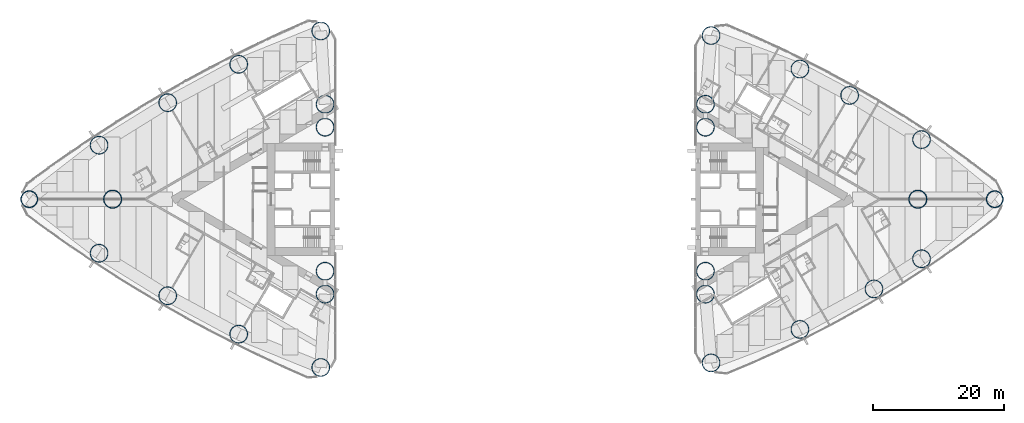
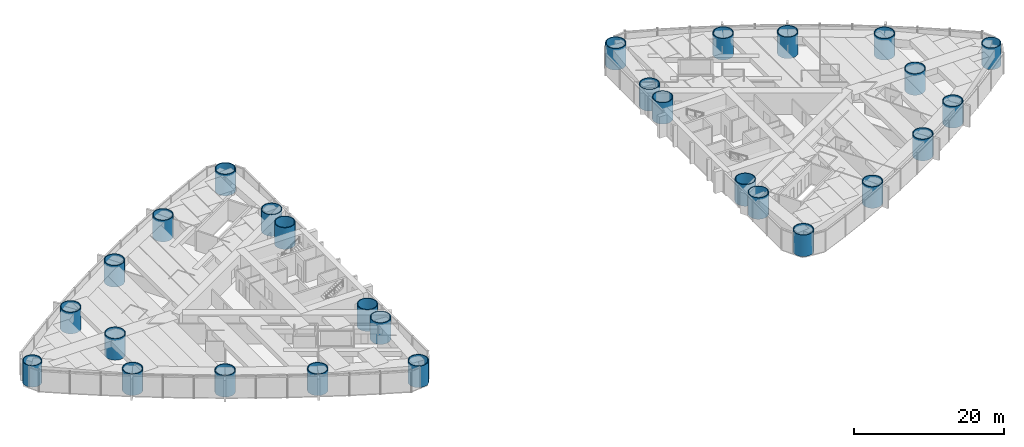
# One storey, part 1 of 19: 28 columns.
"""IFC4 building model written with IfcOpenShell, lengths in metres."""

import ifcopenshell
import ifcopenshell.guid

model = None  # the IFC model being written
_history = None  # IfcOwnerHistory: only IFC2X3 demands one
_inside = {}  # id of a spatial element -> (the spatial element, [elements in it])
_under = {}  # id of a project, library or spatial element -> (it, [spatial elements below it])
_declared = {}  # id of a project -> (the project, [libraries it declares])
_typed = {}  # id of a type object -> (the type object, [elements of that type])
_made_of = {}  # id of a material, layer set ... -> (it, [elements and type objects made of it])


def new_model(schema):
    """Start an empty IFC model of exactly this schema.

    Asked for "IFC4X3", IfcOpenShell would pick the latest addendum, in which some entities
    have other attributes; the version numbers below select the first issue.
    IFC2X3 requires an IfcOwnerHistory on every rooted entity: one is made here for all.
    """
    global model, _history
    if schema == "IFC4X3":
        model = ifcopenshell.file(schema_version=(4, 3, 0, 0))
    else:
        model = ifcopenshell.file(schema=schema)
    _inside.clear()
    _under.clear()
    _declared.clear()
    _typed.clear()
    _made_of.clear()
    _history = None
    if model.schema == "IFC2X3":
        org = make("IfcOrganization", Name="unknown")
        user = make(
            "IfcPersonAndOrganization",
            ThePerson=make("IfcPerson", FamilyName="unknown"),
            TheOrganization=org,
        )
        app = make(
            "IfcApplication",
            ApplicationDeveloper=org,
            Version="unknown",
            ApplicationFullName="unknown",
            ApplicationIdentifier="unknown",
        )
        _history = make(
            "IfcOwnerHistory",
            OwningUser=user,
            OwningApplication=app,
            ChangeAction="ADDED",
            CreationDate=0,
        )
    return model


def make(cls, **values):
    """One entity of the class cls with the attributes given. An attribute that is None is left unset."""
    return model.create_entity(
        cls, **{name: value for name, value in values.items() if value is not None}
    )


def rooted(cls, **values):
    """An entity with a GlobalId (a new one), such as an element, a storey or a relation."""
    return make(cls, GlobalId=ifcopenshell.guid.new(), OwnerHistory=_history, **values)


def si_unit(unit_type, name, prefix=None):
    """IfcSIUnit, for example si_unit("LENGTHUNIT", "METRE", prefix="MILLI")."""
    return make("IfcSIUnit", UnitType=unit_type, Prefix=prefix, Name=name)


def assignment(units):
    """IfcUnitAssignment: the units of a project."""
    return None if units is None else make("IfcUnitAssignment", Units=units)


def point(xyz):
    """IfcCartesianPoint."""
    return None if xyz is None else make("IfcCartesianPoint", Coordinates=xyz)


def direction(xyz):
    """IfcDirection."""
    return None if xyz is None else make("IfcDirection", DirectionRatios=xyz)


def frame(location, z_axis=None, x_axis=None):
    """IfcAxis2Placement3D, a coordinate frame: its origin and axes. An axis left out is left unset."""
    return make(
        "IfcAxis2Placement3D",
        Location=point(location),
        Axis=direction(z_axis),
        RefDirection=direction(x_axis),
    )


def frame_2d(location, x_axis=None):
    """IfcAxis2Placement2D, a coordinate frame in the plane: its origin and x axis."""
    return make(
        "IfcAxis2Placement2D", Location=point(location), RefDirection=direction(x_axis)
    )


def origin():
    """The frame at (0, 0, 0) with its axes left unset."""
    return frame((0.0, 0.0, 0.0))


def origin_2d():
    """The frame at (0, 0) in the plane with its x axis left unset."""
    return frame_2d((0.0, 0.0))


def place(relative_to, where):
    """IfcLocalPlacement: puts the frame where relative to a parent placement (None: the world)."""
    return make(
        "IfcLocalPlacement", PlacementRelTo=relative_to, RelativePlacement=where
    )


def context(
    kind, dimensions, precision=None, world=None, true_north=None, identifier=None
):
    """IfcGeometricRepresentationContext, for example the 3D "Model" context."""
    return make(
        "IfcGeometricRepresentationContext",
        ContextIdentifier=identifier,
        ContextType=kind,
        CoordinateSpaceDimension=dimensions,
        Precision=precision,
        WorldCoordinateSystem=world,
        TrueNorth=true_north,
    )


def subcontext(parent, identifier, kind, view, scale=None):
    """IfcGeometricRepresentationSubContext, for example "Body" below "Model"."""
    return make(
        "IfcGeometricRepresentationSubContext",
        ContextIdentifier=identifier,
        ContextType=kind,
        ParentContext=parent,
        TargetScale=scale,
        TargetView=view,
    )


def project(units=None, contexts=None):
    """IfcProject with its units and contexts."""
    return rooted(
        "IfcProject",
        Name="project",
        RepresentationContexts=contexts,
        UnitsInContext=assignment(units),
    )


def spatial(cls, under=None, at=None, **own):
    """A site, building, storey or space (cls), placed at a placement, below another one or the project."""
    s = rooted(cls, ObjectPlacement=at, **own)
    if under is not None:
        _under.setdefault(under.id(), (under, []))[1].append(s)
    return s


def profile(cls, at=None, kind="AREA", **sizes):
    """A parametric profile (cls). Its sizes go by their IFC names, for example OverallWidth=200.0."""
    return make(cls, ProfileType=kind, Position=at, **sizes)


def hollow_circle(**sizes):
    """IfcCircleHollowProfileDef."""
    return profile("IfcCircleHollowProfileDef", **sizes)


def extrude(swept, where, along, depth):
    """IfcExtrudedAreaSolid: the profile swept, set in the frame where, extruded along a direction by depth."""
    return make(
        "IfcExtrudedAreaSolid",
        SweptArea=swept,
        Position=where,
        ExtrudedDirection=direction(along),
        Depth=depth,
    )


def shape(context_of_items, identifier, shape_type, items):
    """IfcShapeRepresentation: the items that make up one representation, for example the "Body"."""
    return make(
        "IfcShapeRepresentation",
        ContextOfItems=context_of_items,
        RepresentationIdentifier=identifier,
        RepresentationType=shape_type,
        Items=items,
    )


def material(Name=None, Category=None):
    """IfcMaterial."""
    return make("IfcMaterial", Name=Name, Category=Category)


def material_profile(
    of_material, cross_section, Name=None, Category=None, Priority=None
):
    """IfcMaterialProfile: a cross section and its material."""
    return make(
        "IfcMaterialProfile",
        Name=Name,
        Material=of_material,
        Profile=cross_section,
        Priority=Priority,
        Category=Category,
    )


def profile_set(profiles, Name=None, composite=None):
    """IfcMaterialProfileSet."""
    return make(
        "IfcMaterialProfileSet",
        Name=Name,
        MaterialProfiles=profiles,
        CompositeProfile=composite,
    )


def made_of(thing, what):
    """Note that an element or type object is made of a material, layer set ...; save() writes the relation."""
    if what is not None:
        _made_of.setdefault(what.id(), (what, []))[1].append(thing)
    return thing


def type_object(cls, material=None, **own):
    """A type object (cls), such as IfcWallType, which elements share."""
    return made_of(rooted(cls, **own), material)


def element(
    cls,
    number,
    at=None,
    inside=None,
    cuts=None,
    type_object=None,
    material=None,
    context=None,
    identifier="Body",
    shape_type=None,
    held_by="IfcProductDefinitionShape",
    body=None,
    shapes=None,
    **own,
):
    """One element of the class cls, such as IfcWall. Its Tag is "e" and its number.

    at: its placement. inside: the storey or other place that contains it. cuts: it is an
    opening in that element (IfcRelVoidsElement). A single representation is given by context,
    identifier, shape_type and body (its items); several are given by shapes. held_by: the class
    of the entity that holds the representations. save() writes the other relations.
    """
    e = rooted(cls, Tag="e%d" % number, ObjectPlacement=at, **own)
    if body is not None:
        shapes = [shape(context, identifier, shape_type, body)]
    if shapes is not None:
        e.Representation = make(held_by, Representations=shapes)
    if inside is not None:
        _inside.setdefault(inside.id(), (inside, []))[1].append(e)
    if cuts is not None:
        rooted(
            "IfcRelVoidsElement", RelatingBuildingElement=cuts, RelatedOpeningElement=e
        )
    if type_object is not None:
        _typed.setdefault(type_object.id(), (type_object, []))[1].append(e)
    return made_of(e, material)


def aggregate(whole, parts):
    """IfcRelAggregates: a whole, such as a stair, and the parts it consists of."""
    return rooted("IfcRelAggregates", RelatingObject=whole, RelatedObjects=parts)


def save(model, path):
    """Write the relations noted so far, then the file.

    IfcRelAggregates (storeys below a building ...), IfcRelContainedInSpatialStructure (elements
    in a storey), IfcRelDefinesByType, IfcRelAssociatesMaterial and IfcRelDeclares: one each for
    every whole, place, type object, material and project.
    """
    for whole, parts in _under.values():
        aggregate(whole, parts)
    for where, things in _inside.values():
        rooted(
            "IfcRelContainedInSpatialStructure",
            RelatedElements=things,
            RelatingStructure=where,
        )
    for kind, things in _typed.values():
        rooted("IfcRelDefinesByType", RelatedObjects=things, RelatingType=kind)
    for what, things in _made_of.values():
        rooted("IfcRelAssociatesMaterial", RelatedObjects=things, RelatingMaterial=what)
    for by, libraries in _declared.values():
        rooted("IfcRelDeclares", RelatingContext=by, RelatedDefinitions=libraries)
    model.write(path)


model = new_model("IFC4")

# Units and contexts
model_context = context("Model", 3, precision=1e-05, world=origin(), true_north=direction((0.0, 1.0)))
body_context = subcontext(model_context, "Body", "Model", "MODEL_VIEW")
ifc_project = project(units=[si_unit("LENGTHUNIT", "METRE"), si_unit("AREAUNIT", "SQUARE_METRE"), si_unit("VOLUMEUNIT", "CUBIC_METRE"), si_unit("PLANEANGLEUNIT", "RADIAN"), si_unit("MASSUNIT", "GRAM", prefix="KILO")], contexts=[model_context])

# Site, building, storey
site_placement = place(None, origin())
site = spatial("IfcSite", under=ifc_project, at=site_placement, CompositionType="ELEMENT")
building_placement = place(site_placement, origin())
building = spatial("IfcBuilding", under=site, at=building_placement, Name="Lancet Gate Hotel", CompositionType="ELEMENT")
storey_placement = place(building_placement, frame((0.0, 0.0, 60.0)))
storey = spatial("IfcBuildingStorey", under=building, at=storey_placement, Name="L15", CompositionType="ELEMENT", Elevation=60.0)

# Columns
ifc_material_1 = material(Name="Composite filled tube, grade 460 plate, grade 80/95 fill", Category="composite")
ifc_material_profile_1 = material_profile(ifc_material_1, hollow_circle(Radius=1.39990234375, WallThickness=0.10009765625, at=origin_2d()), Name="CHS 2800x100")
ifc_profile_set_1 = profile_set([ifc_material_profile_1], Name="Composite filled tube, grade 460 plate, grade 80/95 fill")
column_type_1 = type_object("IfcColumnType", Name="Apex column CFT CHS 2800x100", PredefinedType="COLUMN", material=ifc_profile_set_1)
for number, where, z_axis, x_axis, name in (
    (1, (-61.5, 0.0, 0.0), (0.0, 0.0, 1.0), (1.0, 0.0, 0.0), "T1 column AX L15"),
    (2, (61.5, 0.0, 0.0), (0.0, 0.0, 1.0), (1.0, 0.0, 0.0), "T2 column AX L15"),
):
    element("IfcColumn", number, at=place(storey_placement, frame(where, z_axis=z_axis, x_axis=x_axis)), inside=storey, type_object=column_type_1, Name=name, PredefinedType="COLUMN", context=body_context, shape_type="SweptSolid", body=[
        extrude(hollow_circle(Radius=1.39990234375, WallThickness=0.10009765625, at=origin_2d()), origin(), (0.0, 0.0, 1.0), 3.5),
    ])
ifc_material_2 = material(Name="Composite filled tube, grade 460 plate, grade 80/95 fill", Category="composite")
ifc_material_profile_2 = material_profile(ifc_material_2, hollow_circle(Radius=1.300048828125, WallThickness=0.10009765625, at=origin_2d()), Name="CHS 2600x100")
ifc_profile_set_2 = profile_set([ifc_material_profile_2], Name="Composite filled tube, grade 460 plate, grade 80/95 fill")
column_type_2 = type_object("IfcColumnType", Name="Apex corner column CFT CHS 2600x100", PredefinedType="COLUMN", material=ifc_profile_set_2)
for number, where, z_axis, x_axis, name in (
    (3, (-74.235107421875, 0.0, 0.0), (0.0, 0.0, 1.0), (1.0, 0.0, 0.0), "T1 column CA L15"),
    (4, (73.2392578125, 0.0, 0.0), (0.0, 0.0, 1.0), (1.0, 0.0, 0.0), "T2 column CA L15"),
):
    element("IfcColumn", number, at=place(storey_placement, frame(where, z_axis=z_axis, x_axis=x_axis)), inside=storey, type_object=column_type_2, Name=name, PredefinedType="COLUMN", context=body_context, shape_type="SweptSolid", body=[
        extrude(hollow_circle(Radius=1.300048828125, WallThickness=0.10009765625, at=origin_2d()), origin(), (0.0, 0.0, 1.0), 3.5),
    ])
ifc_material_3 = material(Name="Composite filled tube, grade 460 plate, grade 80/95 fill", Category="composite")
ifc_material_profile_3 = material_profile(ifc_material_3, hollow_circle(Radius=1.39990234375, WallThickness=0.1201171875, at=origin_2d()), Name="CHS 2800x120")
ifc_profile_set_3 = profile_set([ifc_material_profile_3], Name="Composite filled tube, grade 460 plate, grade 80/95 fill")
column_type_3 = type_object("IfcColumnType", Name="Perimeter column CFT CHS 2800x120", PredefinedType="COLUMN", material=ifc_profile_set_3)
for number, where, z_axis, x_axis, name in (
    (5, (-29.703369140625, -25.70263671875, 0.0), (0.0, 0.0, 1.0), (1.0, 0.0, 0.0), "T1 column CN L15"),
    (6, (-29.703369140625, 25.70263671875, 0.0), (0.0, 0.0, 1.0), (1.0, 0.0, 0.0), "T1 column CS L15"),
    (7, (-29.050048828125, -11.0, 0.0), (0.0, 0.0, 1.0), (1.0, 0.0, 0.0), "T1 column IN L15"),
    (8, (-29.050048828125, 11.0, 0.0), (0.0, 0.0, 1.0), (1.0, 0.0, 0.0), "T1 column IS L15"),
    (9, (-29.050048828125, 14.5, 0.0), (0.0, 0.0, 1.0), (1.0, 0.0, 0.0), "T1 column IT L15"),
    (10, (-29.050048828125, -14.5, 0.0), (0.0, 0.0, 1.0), (1.0, 0.0, 0.0), "T1 column JT L15"),
    (11, (-63.57177734375, -8.255126953125, 0.0), (0.0, 0.0, 1.0), (1.0, 0.0, 0.0), "T1 column ON1 L15"),
    (12, (-53.090087890625, -14.744873046875, 0.0), (0.0, 0.0, 1.0), (1.0, 0.0, 0.0), "T1 column ON2 L15"),
    (13, (-42.2451171875, -20.607421875, 0.0), (0.0, 0.0, 1.0), (1.0, 0.0, 0.0), "T1 column ON3 L15"),
    (14, (-42.2451171875, 20.607421875, 0.0), (0.0, 0.0, 1.0), (1.0, 0.0, 0.0), "T1 column OS1 L15"),
    (15, (-53.090087890625, 14.744873046875, 0.0), (0.0, 0.0, 1.0), (1.0, 0.0, 0.0), "T1 column OS2 L15"),
    (16, (-63.57177734375, 8.255126953125, 0.0), (0.0, 0.0, 1.0), (1.0, 0.0, 0.0), "T1 column OS3 L15"),
    (17, (29.9111328125, 25.00244140625, 0.0), (0.0, 0.0, 1.0), (1.0, 0.0, 0.0), "T2 column CN L15"),
    (18, (29.9111328125, -25.00244140625, 0.0), (0.0, 0.0, 1.0), (1.0, 0.0, 0.0), "T2 column CS L15"),
    (19, (29.050048828125, 11.0, 0.0), (0.0, 0.0, 1.0), (1.0, 0.0, 0.0), "T2 column IN L15"),
    (20, (29.050048828125, -11.0, 0.0), (0.0, 0.0, 1.0), (1.0, 0.0, 0.0), "T2 column IS L15"),
    (21, (29.050048828125, -14.5, 0.0), (0.0, 0.0, 1.0), (1.0, 0.0, 0.0), "T2 column IT L15"),
    (22, (29.050048828125, 14.5, 0.0), (0.0, 0.0, 1.0), (1.0, 0.0, 0.0), "T2 column JT L15"),
    (23, (62.059326171875, 9.10498046875, 0.0), (0.0, 0.0, 1.0), (1.0, 0.0, 0.0), "T2 column ON1 L15"),
    (24, (51.07763671875, 15.8583984375, 0.0), (0.0, 0.0, 1.0), (1.0, 0.0, 0.0), "T2 column ON2 L15"),
    (25, (43.484130859375, 19.886474609375, 0.0), (0.0, 0.0, 1.0), (1.0, 0.0, 0.0), "T2 column ON3 L15"),
    (26, (43.484130859375, -19.886474609375, 0.0), (0.0, 0.0, 1.0), (1.0, 0.0, 0.0), "T2 column OS1 L15"),
    (27, (54.795166015625, -13.70068359375, 0.0), (0.0, 0.0, 1.0), (1.0, 0.0, 0.0), "T2 column OS2 L15"),
    (28, (62.059326171875, -9.10498046875, 0.0), (0.0, 0.0, 1.0), (1.0, 0.0, 0.0), "T2 column OS3 L15"),
):
    element("IfcColumn", number, at=place(storey_placement, frame(where, z_axis=z_axis, x_axis=x_axis)), inside=storey, type_object=column_type_3, Name=name, PredefinedType="COLUMN", context=body_context, shape_type="SweptSolid", body=[
        extrude(hollow_circle(Radius=1.39990234375, WallThickness=0.1201171875, at=origin_2d()), origin(), (0.0, 0.0, 1.0), 3.5),
    ])

save(model, "model.ifc")
